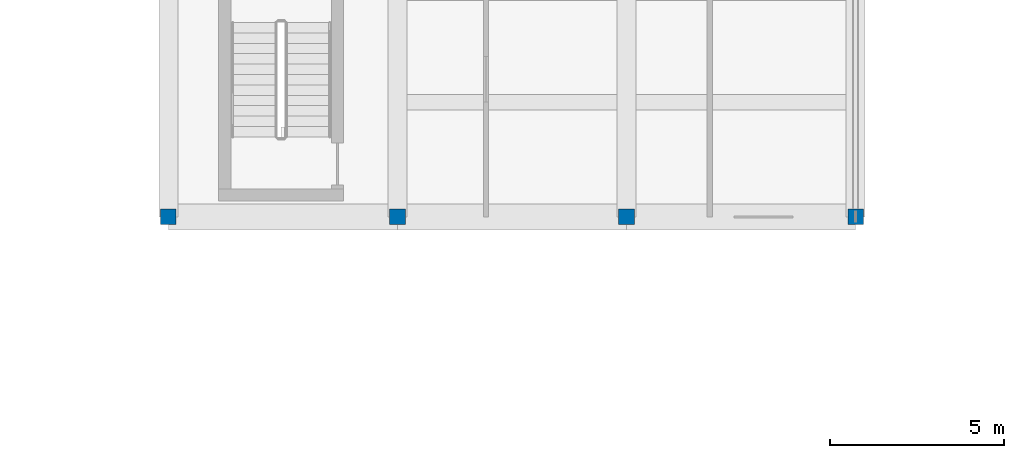
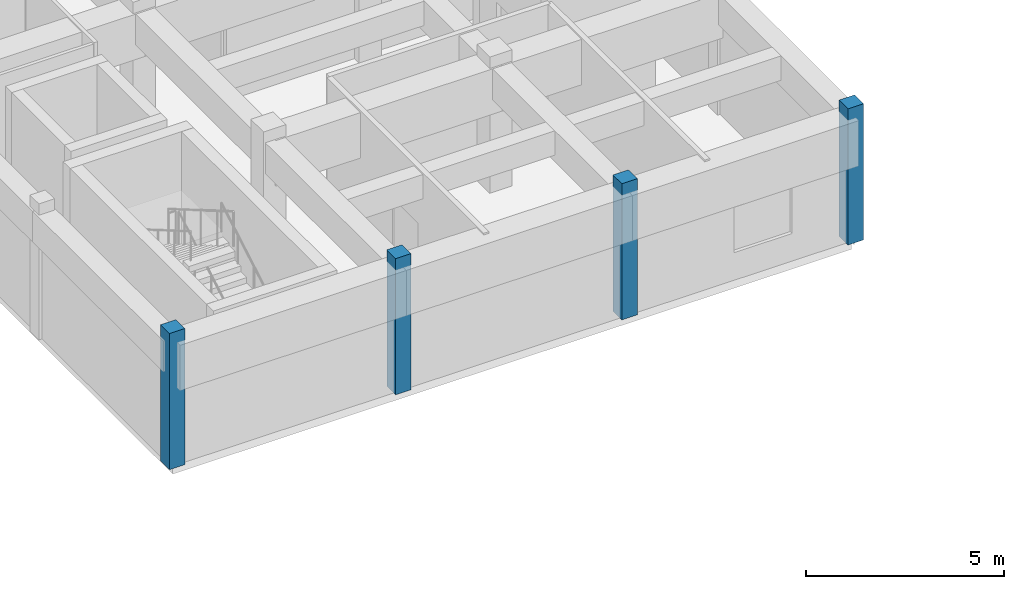
# One storey, part 10 of 134: 4 columns.
"""IFC4 building model written with IfcOpenShell, lengths in metres."""

from ifc_helpers import new_model, si_unit, direction, frame, origin, origin_2d, place, context, subcontext, project, spatial, rectangle, extrude, material, material_profile, profile_set, type_object, element, save


model = new_model("IFC4")

# Units and contexts
model_context = context("Model", 3, precision=1e-05, world=origin(), true_north=direction((0.0, 1.0)))
body_context = subcontext(model_context, "Body", "Model", "MODEL_VIEW")
ifc_project = project(units=[si_unit("LENGTHUNIT", "METRE"), si_unit("AREAUNIT", "SQUARE_METRE"), si_unit("VOLUMEUNIT", "CUBIC_METRE"), si_unit("PLANEANGLEUNIT", "RADIAN"), si_unit("MASSUNIT", "GRAM", prefix="KILO")], contexts=[model_context])

# Site, building, storey
site_placement = place(None, origin())
site = spatial("IfcSite", under=ifc_project, at=site_placement, CompositionType="ELEMENT")
building_placement = place(site_placement, origin())
building = spatial("IfcBuilding", under=site, at=building_placement, Name="Karori Crest Natural Sciences Institute", CompositionType="ELEMENT")
storey_placement = place(building_placement, frame((0.0, 0.0, 21.699951171875)))
storey = spatial("IfcBuildingStorey", under=building, at=storey_placement, Name="L05", CompositionType="ELEMENT", Elevation=21.699951171875)

# Columns
ifc_material = material(Name="Concrete 50 MPa", Category="concrete")
ifc_material_profile = material_profile(ifc_material, rectangle(XDim=0.449951171875, YDim=0.449951171875, at=origin_2d()), Name="RC450x450")
ifc_profile_set = profile_set([ifc_material_profile], Name="Concrete 50 MPa")
column_type = type_object("IfcColumnType", Name="CT-23", PredefinedType="PILASTER", material=ifc_profile_set)
for number, where, z_axis, x_axis, name in (
    (1, (7.39990234375, 95.0, 0.0), (0.0, 0.0, 1.0), (1.0, 0.0, 0.0), "Column C-0715"),
    (2, (14.0, 95.0, 0.0), (0.0, 0.0, 1.0), (1.0, 0.0, 0.0), "Column C-0792"),
    (3, (20.60009765625, 95.0, 0.0), (0.0, 0.0, 1.0), (1.0, 0.0, 0.0), "Column C-0869"),
    (4, (27.199951171875, 95.0, 0.0), (0.0, 0.0, 1.0), (1.0, 0.0, 0.0), "Column C-0946"),
):
    element("IfcColumn", number, at=place(storey_placement, frame(where, z_axis=z_axis, x_axis=x_axis)), inside=storey, type_object=column_type, Name=name, PredefinedType="PILASTER", context=body_context, shape_type="SweptSolid", body=[
        extrude(rectangle(XDim=0.449951171875, YDim=0.449951171875, at=origin_2d()), origin(), (0.0, 0.0, 1.0), 4.199951171875),
    ])

save(model, "model.ifc")
